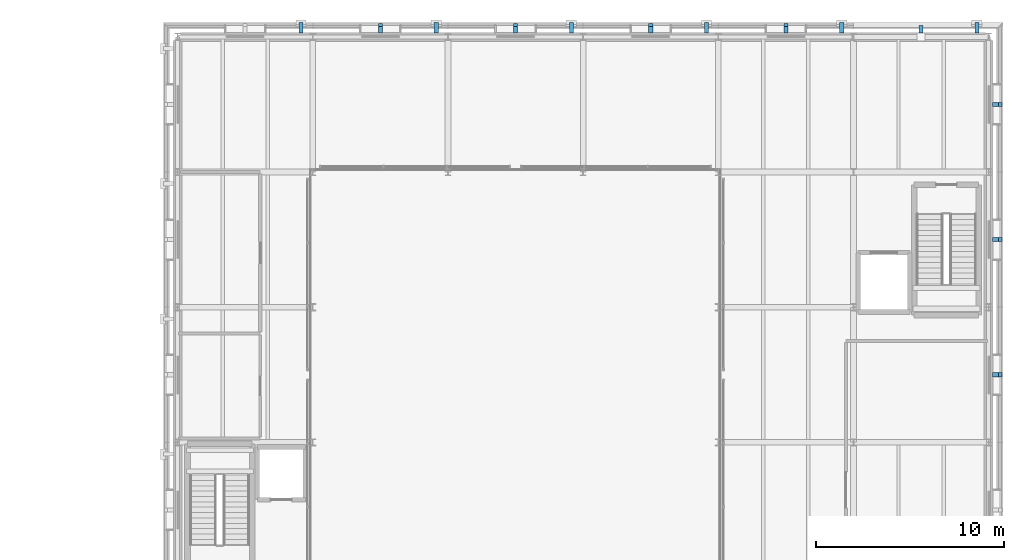
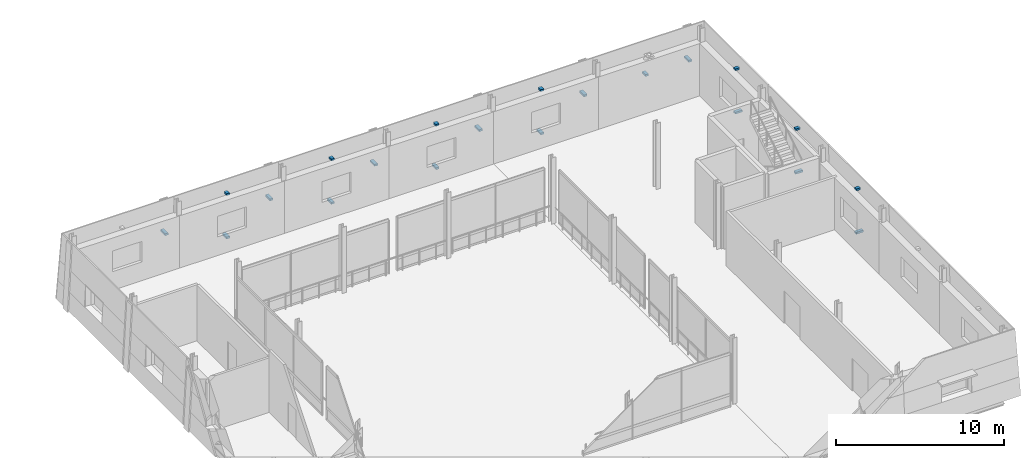
# One storey, part 98 of 121: 21 discrete accessories.
"""IFC4 building model written with IfcOpenShell, lengths in metres."""

from ifc_helpers import new_model, si_unit, direction, frame, origin, origin_2d, place, context, subcontext, project, spatial, rectangle, extrude, material, layer, layer_set, type_object, element, save


model = new_model("IFC4")

# Units and contexts
model_context = context("Model", 3, precision=1e-05, world=origin(), true_north=direction((0.0, 1.0)))
body_context = subcontext(model_context, "Body", "Model", "MODEL_VIEW")
ifc_project = project(units=[si_unit("LENGTHUNIT", "METRE"), si_unit("AREAUNIT", "SQUARE_METRE"), si_unit("VOLUMEUNIT", "CUBIC_METRE"), si_unit("PLANEANGLEUNIT", "RADIAN"), si_unit("MASSUNIT", "GRAM", prefix="KILO")], contexts=[model_context])

# Site, building, storey
site_placement = place(None, origin())
site = spatial("IfcSite", under=ifc_project, at=site_placement, CompositionType="ELEMENT")
building_placement = place(site_placement, origin())
building = spatial("IfcBuilding", under=site, at=building_placement, Name="Narikvali Park Central Library", CompositionType="ELEMENT")
storey_placement = place(building_placement, frame((0.0, 0.0, 5.39990234375)))
storey = spatial("IfcBuildingStorey", under=building, at=storey_placement, Name="L01", CompositionType="ELEMENT", Elevation=5.39990234375)

# Discrete accessories
ifc_material = material(Name="Brushed Stainless Steel S355", Category="steel")
ifc_layer = layer(ifc_material, 0.139892578125, Name="Brushed Stainless Steel S355")
ifc_layer_set = layer_set([ifc_layer], Name="Brushed Stainless Steel S355")
discrete_accessory_type = type_object("IfcDiscreteAccessoryType", Name="Cladding Stainless Tie-Back Corbel Bracket", PredefinedType="BRACKET", material=ifc_layer_set)
discrete_accessory_1_placement = place(storey_placement, frame((166.056640625, 97.199951171875, 0.60498046875), z_axis=(0.0, 0.0, 1.0), x_axis=(1.0, 0.0, 0.0)))
element("IfcDiscreteAccessory", 1, at=discrete_accessory_1_placement, inside=storey, type_object=discrete_accessory_type, Name="Limestone Cladding Tie-Back Bracket V3-CLD-L01-E-B03-SP", PredefinedType="BRACKET", context=body_context, shape_type="SweptSolid", body=[
    extrude(rectangle(XDim=0.493408203125, YDim=0.219970703125, at=origin_2d()), origin(), (0.0, 0.0, 1.0), 0.139892578125),
])
discrete_accessory_2_placement = place(storey_placement, frame((165.974609375, 97.199951171875, 3.75537109375), z_axis=(0.0, 0.0, 1.0), x_axis=(1.0, 0.0, 0.0)))
element("IfcDiscreteAccessory", 2, at=discrete_accessory_2_placement, inside=storey, type_object=discrete_accessory_type, Name="Limestone Cladding Tie-Back Bracket V3-CLD-L01-E-B03-LN", PredefinedType="BRACKET", context=body_context, shape_type="SweptSolid", body=[
    extrude(rectangle(XDim=0.3291015625, YDim=0.219970703125, at=origin_2d()), origin(), (0.0, 0.0, 1.0), 0.139892578125),
])
discrete_accessory_3_placement = place(storey_placement, frame((166.056640625, 104.39990234375, 0.60498046875), z_axis=(0.0, 0.0, 1.0), x_axis=(1.0, 0.0, 0.0)))
element("IfcDiscreteAccessory", 3, at=discrete_accessory_3_placement, inside=storey, type_object=discrete_accessory_type, Name="Limestone Cladding Tie-Back Bracket V3-CLD-L01-E-B04-SP", PredefinedType="BRACKET", context=body_context, shape_type="SweptSolid", body=[
    extrude(rectangle(XDim=0.493408203125, YDim=0.219970703125, at=origin_2d()), origin(), (0.0, 0.0, 1.0), 0.139892578125),
])
discrete_accessory_4_placement = place(storey_placement, frame((165.974609375, 104.39990234375, 3.75537109375), z_axis=(0.0, 0.0, 1.0), x_axis=(1.0, 0.0, 0.0)))
element("IfcDiscreteAccessory", 4, at=discrete_accessory_4_placement, inside=storey, type_object=discrete_accessory_type, Name="Limestone Cladding Tie-Back Bracket V3-CLD-L01-E-B04-LN", PredefinedType="BRACKET", context=body_context, shape_type="SweptSolid", body=[
    extrude(rectangle(XDim=0.3291015625, YDim=0.219970703125, at=origin_2d()), origin(), (0.0, 0.0, 1.0), 0.139892578125),
])
discrete_accessory_5_placement = place(storey_placement, frame((166.056640625, 111.60009765625, 0.60498046875), z_axis=(0.0, 0.0, 1.0), x_axis=(1.0, 0.0, 0.0)))
element("IfcDiscreteAccessory", 5, at=discrete_accessory_5_placement, inside=storey, type_object=discrete_accessory_type, Name="Limestone Cladding Tie-Back Bracket V3-CLD-L01-E-B05-SP", PredefinedType="BRACKET", context=body_context, shape_type="SweptSolid", body=[
    extrude(rectangle(XDim=0.493408203125, YDim=0.219970703125, at=origin_2d()), origin(), (0.0, 0.0, 1.0), 0.139892578125),
])
discrete_accessory_6_placement = place(storey_placement, frame((165.974609375, 111.60009765625, 3.75537109375), z_axis=(0.0, 0.0, 1.0), x_axis=(1.0, 0.0, 0.0)))
element("IfcDiscreteAccessory", 6, at=discrete_accessory_6_placement, inside=storey, type_object=discrete_accessory_type, Name="Limestone Cladding Tie-Back Bracket V3-CLD-L01-E-B05-LN", PredefinedType="BRACKET", context=body_context, shape_type="SweptSolid", body=[
    extrude(rectangle(XDim=0.3291015625, YDim=0.219970703125, at=origin_2d()), origin(), (0.0, 0.0, 1.0), 0.139892578125),
])
discrete_accessory_7_placement = place(storey_placement, frame((164.97509765625, 115.681884765625, 2.330078125), z_axis=(0.0, 0.0, 1.0), x_axis=(1.0, 0.0, 0.0)))
element("IfcDiscreteAccessory", 7, at=discrete_accessory_7_placement, inside=storey, type_object=discrete_accessory_type, Name="Limestone Cladding Tie-Back Bracket V3-PIL-L01-N-B01", PredefinedType="BRACKET", context=body_context, shape_type="SweptSolid", body=[
    extrude(rectangle(XDim=0.219970703125, YDim=0.54345703125, at=origin_2d()), origin(), (0.0, 0.0, 1.0), 0.139892578125),
])
discrete_accessory_8_placement = place(storey_placement, frame((162.0, 115.61181640625, 2.330078125), z_axis=(0.0, 0.0, 1.0), x_axis=(1.0, 0.0, 0.0)))
element("IfcDiscreteAccessory", 8, at=discrete_accessory_8_placement, inside=storey, type_object=discrete_accessory_type, Name="Limestone Cladding Tie-Back Bracket V3-CLD-L01-N-B01-FULL", PredefinedType="BRACKET", context=body_context, shape_type="SweptSolid", body=[
    extrude(rectangle(XDim=0.219970703125, YDim=0.403564453125, at=origin_2d()), origin(), (0.0, 0.0, 1.0), 0.139892578125),
])
discrete_accessory_9_placement = place(storey_placement, frame((157.77490234375, 115.681884765625, 2.330078125), z_axis=(0.0, 0.0, 1.0), x_axis=(1.0, 0.0, 0.0)))
element("IfcDiscreteAccessory", 9, at=discrete_accessory_9_placement, inside=storey, type_object=discrete_accessory_type, Name="Limestone Cladding Tie-Back Bracket V3-PIL-L01-N-B02", PredefinedType="BRACKET", context=body_context, shape_type="SweptSolid", body=[
    extrude(rectangle(XDim=0.219970703125, YDim=0.54345703125, at=origin_2d()), origin(), (0.0, 0.0, 1.0), 0.139892578125),
])
discrete_accessory_10_placement = place(storey_placement, frame((154.800048828125, 115.65673828125, 0.60498046875), z_axis=(0.0, 0.0, 1.0), x_axis=(1.0, 0.0, 0.0)))
element("IfcDiscreteAccessory", 10, at=discrete_accessory_10_placement, inside=storey, type_object=discrete_accessory_type, Name="Limestone Cladding Tie-Back Bracket V3-CLD-L01-N-B02-SP", PredefinedType="BRACKET", context=body_context, shape_type="SweptSolid", body=[
    extrude(rectangle(XDim=0.219970703125, YDim=0.493408203125, at=origin_2d()), origin(), (0.0, 0.0, 1.0), 0.139892578125),
])
discrete_accessory_11_placement = place(storey_placement, frame((154.800048828125, 115.57470703125, 3.75537109375), z_axis=(0.0, 0.0, 1.0), x_axis=(1.0, 0.0, 0.0)))
element("IfcDiscreteAccessory", 11, at=discrete_accessory_11_placement, inside=storey, type_object=discrete_accessory_type, Name="Limestone Cladding Tie-Back Bracket V3-CLD-L01-N-B02-LN", PredefinedType="BRACKET", context=body_context, shape_type="SweptSolid", body=[
    extrude(rectangle(XDim=0.219970703125, YDim=0.3291015625, at=origin_2d()), origin(), (0.0, 0.0, 1.0), 0.139892578125),
])
discrete_accessory_12_placement = place(storey_placement, frame((150.574951171875, 115.681884765625, 2.330078125), z_axis=(0.0, 0.0, 1.0), x_axis=(1.0, 0.0, 0.0)))
element("IfcDiscreteAccessory", 12, at=discrete_accessory_12_placement, inside=storey, type_object=discrete_accessory_type, Name="Limestone Cladding Tie-Back Bracket V3-PIL-L01-N-B03", PredefinedType="BRACKET", context=body_context, shape_type="SweptSolid", body=[
    extrude(rectangle(XDim=0.219970703125, YDim=0.54345703125, at=origin_2d()), origin(), (0.0, 0.0, 1.0), 0.139892578125),
])
discrete_accessory_13_placement = place(storey_placement, frame((147.60009765625, 115.65673828125, 0.60498046875), z_axis=(0.0, 0.0, 1.0), x_axis=(1.0, 0.0, 0.0)))
element("IfcDiscreteAccessory", 13, at=discrete_accessory_13_placement, inside=storey, type_object=discrete_accessory_type, Name="Limestone Cladding Tie-Back Bracket V3-CLD-L01-N-B03-SP", PredefinedType="BRACKET", context=body_context, shape_type="SweptSolid", body=[
    extrude(rectangle(XDim=0.219970703125, YDim=0.493408203125, at=origin_2d()), origin(), (0.0, 0.0, 1.0), 0.139892578125),
])
discrete_accessory_14_placement = place(storey_placement, frame((147.60009765625, 115.57470703125, 3.75537109375), z_axis=(0.0, 0.0, 1.0), x_axis=(1.0, 0.0, 0.0)))
element("IfcDiscreteAccessory", 14, at=discrete_accessory_14_placement, inside=storey, type_object=discrete_accessory_type, Name="Limestone Cladding Tie-Back Bracket V3-CLD-L01-N-B03-LN", PredefinedType="BRACKET", context=body_context, shape_type="SweptSolid", body=[
    extrude(rectangle(XDim=0.219970703125, YDim=0.3291015625, at=origin_2d()), origin(), (0.0, 0.0, 1.0), 0.139892578125),
])
discrete_accessory_15_placement = place(storey_placement, frame((143.375, 115.681884765625, 2.330078125), z_axis=(0.0, 0.0, 1.0), x_axis=(1.0, 0.0, 0.0)))
element("IfcDiscreteAccessory", 15, at=discrete_accessory_15_placement, inside=storey, type_object=discrete_accessory_type, Name="Limestone Cladding Tie-Back Bracket V3-PIL-L01-N-B04", PredefinedType="BRACKET", context=body_context, shape_type="SweptSolid", body=[
    extrude(rectangle(XDim=0.219970703125, YDim=0.54345703125, at=origin_2d()), origin(), (0.0, 0.0, 1.0), 0.139892578125),
])
discrete_accessory_16_placement = place(storey_placement, frame((140.39990234375, 115.65673828125, 0.60498046875), z_axis=(0.0, 0.0, 1.0), x_axis=(1.0, 0.0, 0.0)))
element("IfcDiscreteAccessory", 16, at=discrete_accessory_16_placement, inside=storey, type_object=discrete_accessory_type, Name="Limestone Cladding Tie-Back Bracket V3-CLD-L01-N-B04-SP", PredefinedType="BRACKET", context=body_context, shape_type="SweptSolid", body=[
    extrude(rectangle(XDim=0.219970703125, YDim=0.493408203125, at=origin_2d()), origin(), (0.0, 0.0, 1.0), 0.139892578125),
])
discrete_accessory_17_placement = place(storey_placement, frame((140.39990234375, 115.57470703125, 3.75537109375), z_axis=(0.0, 0.0, 1.0), x_axis=(1.0, 0.0, 0.0)))
element("IfcDiscreteAccessory", 17, at=discrete_accessory_17_placement, inside=storey, type_object=discrete_accessory_type, Name="Limestone Cladding Tie-Back Bracket V3-CLD-L01-N-B04-LN", PredefinedType="BRACKET", context=body_context, shape_type="SweptSolid", body=[
    extrude(rectangle(XDim=0.219970703125, YDim=0.3291015625, at=origin_2d()), origin(), (0.0, 0.0, 1.0), 0.139892578125),
])
discrete_accessory_18_placement = place(storey_placement, frame((136.175048828125, 115.681884765625, 2.330078125), z_axis=(0.0, 0.0, 1.0), x_axis=(1.0, 0.0, 0.0)))
element("IfcDiscreteAccessory", 18, at=discrete_accessory_18_placement, inside=storey, type_object=discrete_accessory_type, Name="Limestone Cladding Tie-Back Bracket V3-PIL-L01-N-B05", PredefinedType="BRACKET", context=body_context, shape_type="SweptSolid", body=[
    extrude(rectangle(XDim=0.219970703125, YDim=0.54345703125, at=origin_2d()), origin(), (0.0, 0.0, 1.0), 0.139892578125),
])
discrete_accessory_19_placement = place(storey_placement, frame((133.199951171875, 115.65673828125, 0.60498046875), z_axis=(0.0, 0.0, 1.0), x_axis=(1.0, 0.0, 0.0)))
element("IfcDiscreteAccessory", 19, at=discrete_accessory_19_placement, inside=storey, type_object=discrete_accessory_type, Name="Limestone Cladding Tie-Back Bracket V3-CLD-L01-N-B05-SP", PredefinedType="BRACKET", context=body_context, shape_type="SweptSolid", body=[
    extrude(rectangle(XDim=0.219970703125, YDim=0.493408203125, at=origin_2d()), origin(), (0.0, 0.0, 1.0), 0.139892578125),
])
discrete_accessory_20_placement = place(storey_placement, frame((133.199951171875, 115.57470703125, 3.75537109375), z_axis=(0.0, 0.0, 1.0), x_axis=(1.0, 0.0, 0.0)))
element("IfcDiscreteAccessory", 20, at=discrete_accessory_20_placement, inside=storey, type_object=discrete_accessory_type, Name="Limestone Cladding Tie-Back Bracket V3-CLD-L01-N-B05-LN", PredefinedType="BRACKET", context=body_context, shape_type="SweptSolid", body=[
    extrude(rectangle(XDim=0.219970703125, YDim=0.3291015625, at=origin_2d()), origin(), (0.0, 0.0, 1.0), 0.139892578125),
])
discrete_accessory_21_placement = place(storey_placement, frame((128.97509765625, 115.681884765625, 2.330078125), z_axis=(0.0, 0.0, 1.0), x_axis=(1.0, 0.0, 0.0)))
element("IfcDiscreteAccessory", 21, at=discrete_accessory_21_placement, inside=storey, type_object=discrete_accessory_type, Name="Limestone Cladding Tie-Back Bracket V3-PIL-L01-N-B06", PredefinedType="BRACKET", context=body_context, shape_type="SweptSolid", body=[
    extrude(rectangle(XDim=0.219970703125, YDim=0.54345703125, at=origin_2d()), origin(), (0.0, 0.0, 1.0), 0.139892578125),
])

save(model, "model.ifc")
